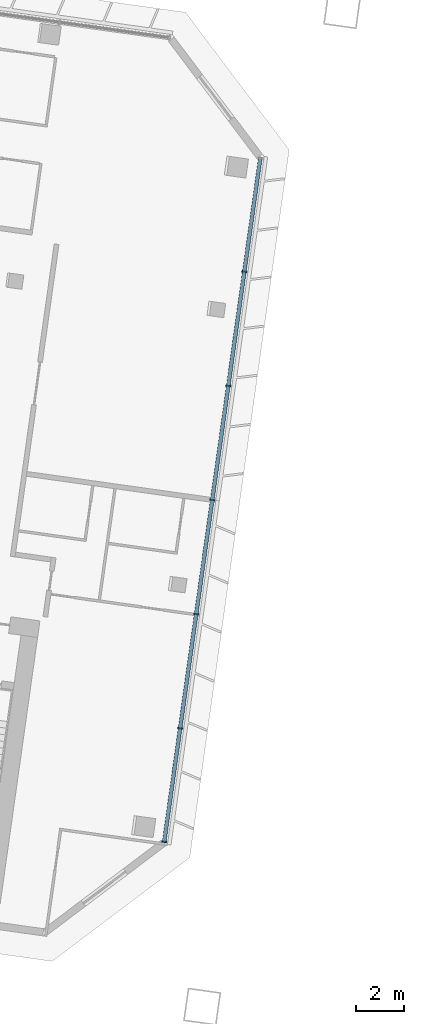
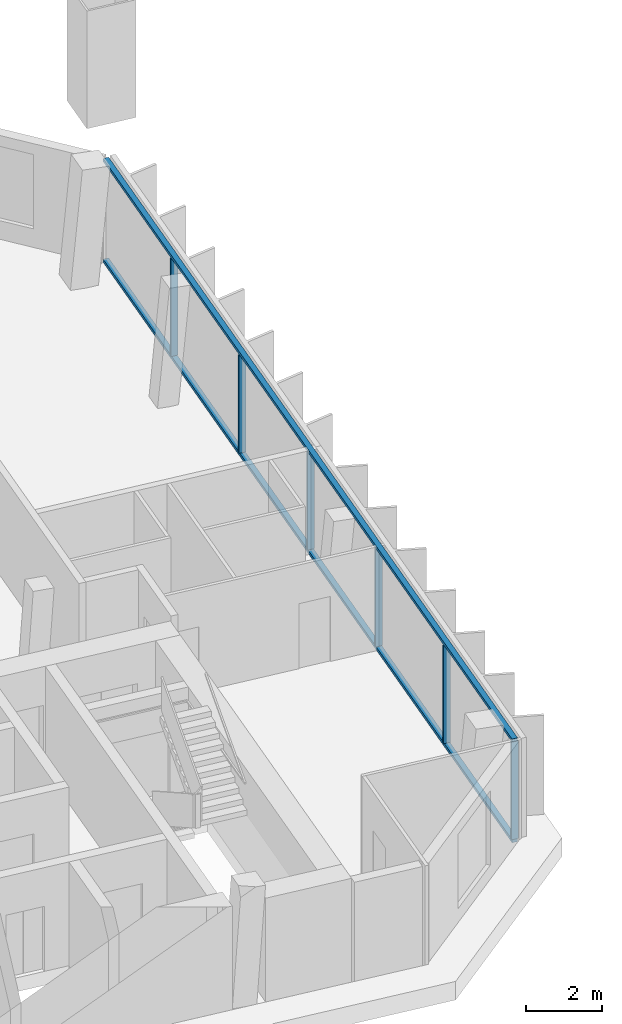
# One storey, part 3 of 22: 8 members, 1 element without a shape of its own.
"""IFC4 building model written with IfcOpenShell, lengths in metres."""

from ifc_helpers import new_model, si_unit, direction, frame, origin, origin_2d, place, context, subcontext, project, spatial, rectangle, extrude, material, material_profile, profile_set, type_object, element, aggregate, save


model = new_model("IFC4")

# Units and contexts
model_context = context("Model", 3, precision=1e-05, world=origin(), true_north=direction((0.0, 1.0)))
body_context = subcontext(model_context, "Body", "Model", "MODEL_VIEW")
ifc_project = project(units=[si_unit("LENGTHUNIT", "METRE"), si_unit("AREAUNIT", "SQUARE_METRE"), si_unit("VOLUMEUNIT", "CUBIC_METRE"), si_unit("PLANEANGLEUNIT", "RADIAN"), si_unit("MASSUNIT", "GRAM", prefix="KILO")], contexts=[model_context])

# Site, building, storey
site_placement = place(None, origin())
site = spatial("IfcSite", under=ifc_project, at=site_placement, CompositionType="ELEMENT")
building_placement = place(site_placement, origin())
building = spatial("IfcBuilding", under=site, at=building_placement, Name="Mirante Cascada Hotel Towers", CompositionType="ELEMENT")
storey_placement = place(building_placement, frame((0.0, 0.0, 191.6)))
storey = spatial("IfcBuildingStorey", under=building, at=storey_placement, Name="L45", CompositionType="ELEMENT", Elevation=191.6)

# Curtain wall, members
ifc_material_1 = material(Name="Aluminium mullion and transom frame with clear laminated glass", Category="aluminium")
curtain_wall_type = type_object("IfcCurtainWallType", Name="End ribbon curtain wall ECW2", PredefinedType="NOTDEFINED", material=ifc_material_1)
curtain_wall_placement = place(storey_placement, origin())
curtain_wall = element("IfcCurtainWall", 1, at=curtain_wall_placement, inside=storey, type_object=curtain_wall_type, Name="Inner end wall T1 L45", PredefinedType="NOTDEFINED")
ifc_material_2 = material(Name="Anodised aluminium extrusion", Category="aluminium")
ifc_material_profile_1 = material_profile(ifc_material_2, rectangle(XDim=0.2, YDim=0.065, at=origin_2d()), Name="ECW2 MULLION 65x200")
ifc_profile_set_1 = profile_set([ifc_material_profile_1], Name="Anodised aluminium extrusion")
member_type_1 = type_object("IfcMemberType", Name="ECW2 mullion 65x200", PredefinedType="MULLION", material=ifc_profile_set_1)
member_1_placement = place(storey_placement, frame((-26.9581, 7.2923, 0.1), z_axis=(0.0, 0.0, 1.0), x_axis=(0.9902681, -0.1391731, 0.0)))
member_1 = element("IfcMember", 2, at=member_1_placement, type_object=member_type_1, Name="ECW2 mullion 2", PredefinedType="MULLION", context=body_context, shape_type="SweptSolid", body=[
    extrude(rectangle(XDim=0.2, YDim=0.065, at=origin_2d()), origin(), (0.0, 0.0, 1.0), 3.15),
])
member_2_placement = place(storey_placement, frame((-27.6279, 2.5265, 0.1), z_axis=(0.0, 0.0, 1.0), x_axis=(0.9902681, -0.1391731, 0.0)))
member_2 = element("IfcMember", 3, at=member_2_placement, type_object=member_type_1, Name="ECW2 mullion 3", PredefinedType="MULLION", context=body_context, shape_type="SweptSolid", body=[
    extrude(rectangle(XDim=0.2, YDim=0.065, at=origin_2d()), origin(), (0.0, 0.0, 1.0), 3.15),
])
member_3_placement = place(storey_placement, frame((-28.2976, -2.2393, 0.1), z_axis=(0.0, 0.0, 1.0), x_axis=(0.9902681, -0.1391731, 0.0)))
member_3 = element("IfcMember", 4, at=member_3_placement, type_object=member_type_1, Name="ECW2 mullion 4", PredefinedType="MULLION", context=body_context, shape_type="SweptSolid", body=[
    extrude(rectangle(XDim=0.2, YDim=0.065, at=origin_2d()), origin(), (0.0, 0.0, 1.0), 3.15),
])
member_4_placement = place(storey_placement, frame((-28.9674, -7.005, 0.1), z_axis=(0.0, 0.0, 1.0), x_axis=(0.9902681, -0.1391731, 0.0)))
member_4 = element("IfcMember", 5, at=member_4_placement, type_object=member_type_1, Name="ECW2 mullion 5", PredefinedType="MULLION", context=body_context, shape_type="SweptSolid", body=[
    extrude(rectangle(XDim=0.2, YDim=0.065, at=origin_2d()), origin(), (0.0, 0.0, 1.0), 3.15),
])
member_5_placement = place(storey_placement, frame((-29.6372, -11.7708, 0.1), z_axis=(0.0, 0.0, 1.0), x_axis=(0.9902681, -0.1391731, 0.0)))
member_5 = element("IfcMember", 6, at=member_5_placement, type_object=member_type_1, Name="ECW2 mullion 6", PredefinedType="MULLION", context=body_context, shape_type="SweptSolid", body=[
    extrude(rectangle(XDim=0.2, YDim=0.065, at=origin_2d()), origin(), (0.0, 0.0, 1.0), 3.15),
])
member_6_placement = place(storey_placement, frame((-30.3025, -16.5044, 0.1), z_axis=(0.0, 0.0, 1.0), x_axis=(0.9902681, -0.1391731, 0.0)))
member_6 = element("IfcMember", 7, at=member_6_placement, type_object=member_type_1, Name="ECW2 mullion 7", PredefinedType="MULLION", context=body_context, shape_type="SweptSolid", body=[
    extrude(rectangle(XDim=0.2, YDim=0.065, at=origin_2d()), origin(), (0.0, 0.0, 1.0), 3.15),
])
ifc_material_3 = material(Name="Anodised aluminium extrusion", Category="aluminium")
ifc_material_profile_2 = material_profile(ifc_material_3, rectangle(XDim=0.16, YDim=0.1, at=origin_2d()), Name="ECW2 TRANSOM 100x160")
ifc_profile_set_2 = profile_set([ifc_material_profile_2], Name="Anodised aluminium extrusion")
member_type_2 = type_object("IfcMemberType", Name="ECW2 transom 100x160", PredefinedType="USERDEFINED", material=ifc_profile_set_2)
member_7_placement = place(storey_placement, frame((-26.2883, 12.0581, 0.05), z_axis=(-0.1391723, -0.9902682, 0.0), x_axis=(0.9902682, -0.1391723, 0.0)))
member_7 = element("IfcMember", 8, at=member_7_placement, type_object=member_type_2, Name="ECW2 sill transom", ObjectType="TRANSOM", PredefinedType="USERDEFINED", context=body_context, shape_type="SweptSolid", body=[
    extrude(rectangle(XDim=0.16, YDim=0.1, at=origin_2d()), origin(), (0.0, 0.0, 1.0), 28.8757),
])
member_8_placement = place(storey_placement, frame((-26.2883, 12.0581, 3.3), z_axis=(-0.1391723, -0.9902682, 0.0), x_axis=(0.9902682, -0.1391723, 0.0)))
member_8 = element("IfcMember", 9, at=member_8_placement, type_object=member_type_2, Name="ECW2 head transom", ObjectType="TRANSOM", PredefinedType="USERDEFINED", context=body_context, shape_type="SweptSolid", body=[
    extrude(rectangle(XDim=0.16, YDim=0.1, at=origin_2d()), origin(), (0.0, 0.0, 1.0), 28.8757),
])
aggregate(curtain_wall, [member_7, member_8, member_1, member_2, member_3, member_4, member_5, member_6])

save(model, "model.ifc")
